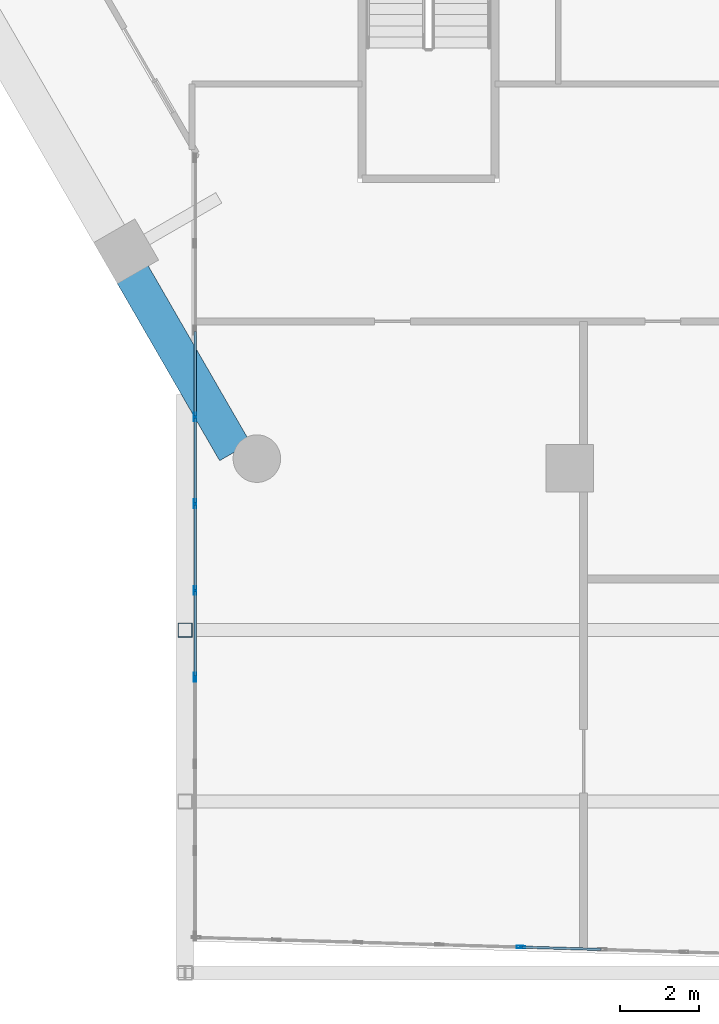
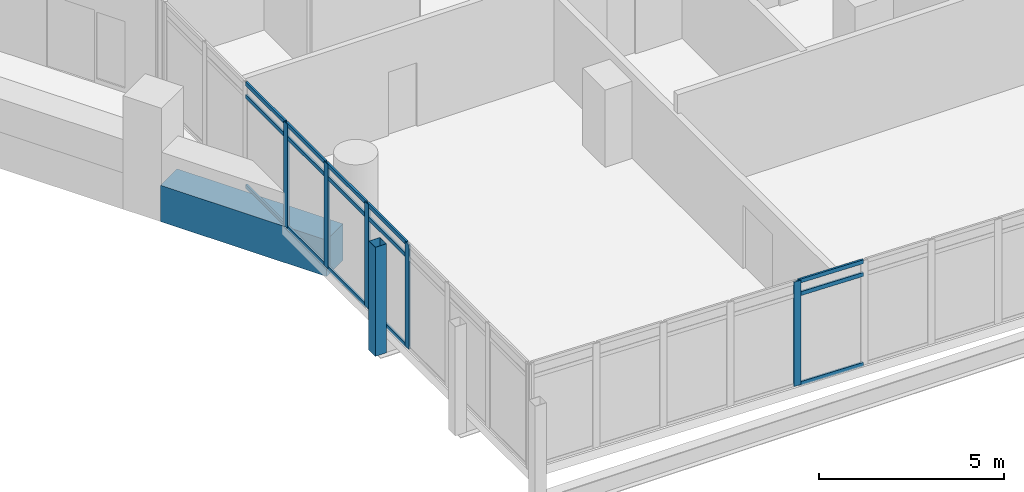
# One storey, part 4 of 37: 21 members, 1 beam, 2 elements without a shape of their own.
"""IFC4 building model written with IfcOpenShell, lengths in metres."""

from ifc_helpers import new_model, si_unit, direction, frame, origin, origin_2d, place, context, subcontext, project, spatial, rectangle, hollow_rectangle, extrude, material, material_profile, profile_set, type_object, element, aggregate, save


model = new_model("IFC4")

# Units and contexts
model_context = context("Model", 3, precision=1e-05, world=origin(), true_north=direction((0.0, 1.0)))
body_context = subcontext(model_context, "Body", "Model", "MODEL_VIEW")
ifc_project = project(units=[si_unit("LENGTHUNIT", "METRE"), si_unit("AREAUNIT", "SQUARE_METRE"), si_unit("VOLUMEUNIT", "CUBIC_METRE"), si_unit("PLANEANGLEUNIT", "RADIAN"), si_unit("MASSUNIT", "GRAM", prefix="KILO")], contexts=[model_context])

# Site, building, storey
site_placement = place(None, origin())
site = spatial("IfcSite", under=ifc_project, at=site_placement, CompositionType="ELEMENT")
building_placement = place(site_placement, origin())
building = spatial("IfcBuilding", under=site, at=building_placement, Name="Ostrander Bayou Hotel Tower", CompositionType="ELEMENT")
storey_placement = place(building_placement, frame((0.0, 0.0, 131.0)))
storey = spatial("IfcBuildingStorey", under=building, at=storey_placement, Name="L32", CompositionType="ELEMENT", Elevation=131.0)

# Curtain wall, members
ifc_material_1 = material(Name="Aluminium and clear glass", Category="aluminium")
curtain_wall_type = type_object("IfcCurtainWallType", Name="CW-BAR glazed wall", PredefinedType="NOTDEFINED", material=ifc_material_1)
curtain_wall_1_placement = place(storey_placement, origin())
curtain_wall_1 = element("IfcCurtainWall", 1, at=curtain_wall_1_placement, inside=storey, type_object=curtain_wall_type, Name="CW-BAR L32:SB3S:E", PredefinedType="NOTDEFINED")
ifc_material_2 = material(Name="Aluminium", Category="aluminium")
ifc_material_profile_1 = material_profile(ifc_material_2, hollow_rectangle(XDim=0.06005859375, YDim=0.219970703125, WallThickness=0.00390625, at=origin_2d()))
ifc_profile_set_1 = profile_set([ifc_material_profile_1], Name="Aluminium")
member_type_1 = type_object("IfcMemberType", Name="CW-BR mullion 60 x 220 mm", PredefinedType="MULLION", material=ifc_profile_set_1)
member_1_placement = place(storey_placement, frame((-13.3671875, -17.41552734375, 0.0), z_axis=(0.0, 0.0, 1.0), x_axis=(1.0, 0.0, 0.0)))
member_1 = element("IfcMember", 2, at=member_1_placement, type_object=member_type_1, Name="CW-BAR mullion 4", PredefinedType="MULLION", context=body_context, shape_type="SweptSolid", body=[
    extrude(hollow_rectangle(XDim=0.06005859375, YDim=0.219970703125, WallThickness=0.00390625, at=origin_2d()), origin(), (0.0, 0.0, 1.0), 3.449951171875),
])
member_2_placement = place(storey_placement, frame((-13.3671875, -19.60498046875, 0.0), z_axis=(0.0, 0.0, 1.0), x_axis=(1.0, 0.0, 0.0)))
member_2 = element("IfcMember", 3, at=member_2_placement, type_object=member_type_1, Name="CW-BAR mullion 5", PredefinedType="MULLION", context=body_context, shape_type="SweptSolid", body=[
    extrude(hollow_rectangle(XDim=0.06005859375, YDim=0.219970703125, WallThickness=0.00390625, at=origin_2d()), origin(), (0.0, 0.0, 1.0), 3.449951171875),
])
member_3_placement = place(storey_placement, frame((-13.3671875, -21.79443359375, 0.0), z_axis=(0.0, 0.0, 1.0), x_axis=(1.0, 0.0, 0.0)))
member_3 = element("IfcMember", 4, at=member_3_placement, type_object=member_type_1, Name="CW-BAR mullion 6", PredefinedType="MULLION", context=body_context, shape_type="SweptSolid", body=[
    extrude(hollow_rectangle(XDim=0.06005859375, YDim=0.219970703125, WallThickness=0.00390625, at=origin_2d()), origin(), (0.0, 0.0, 1.0), 3.449951171875),
])
member_4_placement = place(storey_placement, frame((-13.3671875, -23.98388671875, 0.0), z_axis=(0.0, 0.0, 1.0), x_axis=(1.0, 0.0, 0.0)))
member_4 = element("IfcMember", 5, at=member_4_placement, type_object=member_type_1, Name="CW-BAR mullion 7", PredefinedType="MULLION", context=body_context, shape_type="SweptSolid", body=[
    extrude(hollow_rectangle(XDim=0.06005859375, YDim=0.219970703125, WallThickness=0.00390625, at=origin_2d()), origin(), (0.0, 0.0, 1.0), 3.449951171875),
])

# Curtain wall, member
curtain_wall_2_placement = place(storey_placement, origin())
curtain_wall_2 = element("IfcCurtainWall", 6, at=curtain_wall_2_placement, inside=storey, type_object=curtain_wall_type, Name="CW-BAR L32:SB3S:T", PredefinedType="NOTDEFINED")
member_5_placement = place(storey_placement, frame((-5.14111328125, -30.797119140625, 0.0), z_axis=(0.0, 0.0, 1.0), x_axis=(0.029746242041, 0.999557482631, 0.0)))
member_5 = element("IfcMember", 7, at=member_5_placement, type_object=member_type_1, Name="CW-BAR mullion 5", PredefinedType="MULLION", context=body_context, shape_type="SweptSolid", body=[
    extrude(hollow_rectangle(XDim=0.06005859375, YDim=0.219970703125, WallThickness=0.00390625, at=origin_2d()), origin(), (0.0, 0.0, 1.0), 3.449951171875),
])

# Member
ifc_material_3 = material(Name="Aluminium", Category="aluminium")
ifc_material_profile_2 = material_profile(ifc_material_3, hollow_rectangle(XDim=0.06005859375, YDim=0.1298828125, WallThickness=0.00390625, at=origin_2d()))
ifc_profile_set_2 = profile_set([ifc_material_profile_2], Name="Aluminium")
member_type_2 = type_object("IfcMemberType", Name="CW-BR transom 60 x 130 mm", PredefinedType="USERDEFINED", material=ifc_profile_set_2)
member_6_placement = place(storey_placement, frame((-13.3671875, -15.256103515625, 0.030029296875), z_axis=(0.0, -1.0, 0.0), x_axis=(1.0, 0.0, 0.0)))
member_6 = element("IfcMember", 8, at=member_6_placement, type_object=member_type_2, Name="CW-BAR transom 3.1", ObjectType="TRANSOM", PredefinedType="USERDEFINED", context=body_context, shape_type="SweptSolid", body=[
    extrude(hollow_rectangle(XDim=0.06005859375, YDim=0.1298828125, WallThickness=0.00390625, at=origin_2d()), origin(), (0.0, 0.0, 1.0), 2.12939453125),
])

member_7_placement = place(storey_placement, frame((-13.3671875, -15.256103515625, 3.0), z_axis=(0.0, -1.0, 0.0), x_axis=(1.0, 0.0, 0.0)))
member_7 = element("IfcMember", 9, at=member_7_placement, type_object=member_type_2, Name="CW-BAR transom 3.2", ObjectType="TRANSOM", PredefinedType="USERDEFINED", context=body_context, shape_type="SweptSolid", body=[
    extrude(hollow_rectangle(XDim=0.06005859375, YDim=0.1298828125, WallThickness=0.00390625, at=origin_2d()), origin(), (0.0, 0.0, 1.0), 2.12939453125),
])

member_8_placement = place(storey_placement, frame((-13.3671875, -15.256103515625, 3.419921875), z_axis=(0.0, -1.0, 0.0), x_axis=(1.0, 0.0, 0.0)))
member_8 = element("IfcMember", 10, at=member_8_placement, type_object=member_type_2, Name="CW-BAR transom 3.3", ObjectType="TRANSOM", PredefinedType="USERDEFINED", context=body_context, shape_type="SweptSolid", body=[
    extrude(hollow_rectangle(XDim=0.06005859375, YDim=0.1298828125, WallThickness=0.00390625, at=origin_2d()), origin(), (0.0, 0.0, 1.0), 2.12939453125),
])

member_9_placement = place(storey_placement, frame((-13.3671875, -17.445556640625, 0.030029296875), z_axis=(0.0, -1.0, 0.0), x_axis=(1.0, 0.0, 0.0)))
member_9 = element("IfcMember", 11, at=member_9_placement, type_object=member_type_2, Name="CW-BAR transom 4.1", ObjectType="TRANSOM", PredefinedType="USERDEFINED", context=body_context, shape_type="SweptSolid", body=[
    extrude(hollow_rectangle(XDim=0.06005859375, YDim=0.1298828125, WallThickness=0.00390625, at=origin_2d()), origin(), (0.0, 0.0, 1.0), 2.12939453125),
])

member_10_placement = place(storey_placement, frame((-13.3671875, -17.445556640625, 3.0), z_axis=(0.0, -1.0, 0.0), x_axis=(1.0, 0.0, 0.0)))
member_10 = element("IfcMember", 12, at=member_10_placement, type_object=member_type_2, Name="CW-BAR transom 4.2", ObjectType="TRANSOM", PredefinedType="USERDEFINED", context=body_context, shape_type="SweptSolid", body=[
    extrude(hollow_rectangle(XDim=0.06005859375, YDim=0.1298828125, WallThickness=0.00390625, at=origin_2d()), origin(), (0.0, 0.0, 1.0), 2.12939453125),
])

member_11_placement = place(storey_placement, frame((-13.3671875, -17.445556640625, 3.419921875), z_axis=(0.0, -1.0, 0.0), x_axis=(1.0, 0.0, 0.0)))
member_11 = element("IfcMember", 13, at=member_11_placement, type_object=member_type_2, Name="CW-BAR transom 4.3", ObjectType="TRANSOM", PredefinedType="USERDEFINED", context=body_context, shape_type="SweptSolid", body=[
    extrude(hollow_rectangle(XDim=0.06005859375, YDim=0.1298828125, WallThickness=0.00390625, at=origin_2d()), origin(), (0.0, 0.0, 1.0), 2.12939453125),
])

member_12_placement = place(storey_placement, frame((-13.3671875, -19.635009765625, 0.030029296875), z_axis=(0.0, -1.0, 0.0), x_axis=(1.0, 0.0, 0.0)))
member_12 = element("IfcMember", 14, at=member_12_placement, type_object=member_type_2, Name="CW-BAR transom 5.1", ObjectType="TRANSOM", PredefinedType="USERDEFINED", context=body_context, shape_type="SweptSolid", body=[
    extrude(hollow_rectangle(XDim=0.06005859375, YDim=0.1298828125, WallThickness=0.00390625, at=origin_2d()), origin(), (0.0, 0.0, 1.0), 2.12939453125),
])

member_13_placement = place(storey_placement, frame((-13.3671875, -19.635009765625, 3.0), z_axis=(0.0, -1.0, 0.0), x_axis=(1.0, 0.0, 0.0)))
member_13 = element("IfcMember", 15, at=member_13_placement, type_object=member_type_2, Name="CW-BAR transom 5.2", ObjectType="TRANSOM", PredefinedType="USERDEFINED", context=body_context, shape_type="SweptSolid", body=[
    extrude(hollow_rectangle(XDim=0.06005859375, YDim=0.1298828125, WallThickness=0.00390625, at=origin_2d()), origin(), (0.0, 0.0, 1.0), 2.12939453125),
])

member_14_placement = place(storey_placement, frame((-13.3671875, -19.635009765625, 3.419921875), z_axis=(0.0, -1.0, 0.0), x_axis=(1.0, 0.0, 0.0)))
member_14 = element("IfcMember", 16, at=member_14_placement, type_object=member_type_2, Name="CW-BAR transom 5.3", ObjectType="TRANSOM", PredefinedType="USERDEFINED", context=body_context, shape_type="SweptSolid", body=[
    extrude(hollow_rectangle(XDim=0.06005859375, YDim=0.1298828125, WallThickness=0.00390625, at=origin_2d()), origin(), (0.0, 0.0, 1.0), 2.12939453125),
])

member_15_placement = place(storey_placement, frame((-13.3671875, -21.824462890625, 0.030029296875), z_axis=(0.0, -1.0, 0.0), x_axis=(1.0, 0.0, 0.0)))
member_15 = element("IfcMember", 17, at=member_15_placement, type_object=member_type_2, Name="CW-BAR transom 6.1", ObjectType="TRANSOM", PredefinedType="USERDEFINED", context=body_context, shape_type="SweptSolid", body=[
    extrude(hollow_rectangle(XDim=0.06005859375, YDim=0.1298828125, WallThickness=0.00390625, at=origin_2d()), origin(), (0.0, 0.0, 1.0), 2.12939453125),
])

member_16_placement = place(storey_placement, frame((-13.3671875, -21.824462890625, 3.0), z_axis=(0.0, -1.0, 0.0), x_axis=(1.0, 0.0, 0.0)))
member_16 = element("IfcMember", 18, at=member_16_placement, type_object=member_type_2, Name="CW-BAR transom 6.2", ObjectType="TRANSOM", PredefinedType="USERDEFINED", context=body_context, shape_type="SweptSolid", body=[
    extrude(hollow_rectangle(XDim=0.06005859375, YDim=0.1298828125, WallThickness=0.00390625, at=origin_2d()), origin(), (0.0, 0.0, 1.0), 2.12939453125),
])

member_17_placement = place(storey_placement, frame((-13.3671875, -21.824462890625, 3.419921875), z_axis=(0.0, -1.0, 0.0), x_axis=(1.0, 0.0, 0.0)))
member_17 = element("IfcMember", 19, at=member_17_placement, type_object=member_type_2, Name="CW-BAR transom 6.3", ObjectType="TRANSOM", PredefinedType="USERDEFINED", context=body_context, shape_type="SweptSolid", body=[
    extrude(hollow_rectangle(XDim=0.06005859375, YDim=0.1298828125, WallThickness=0.00390625, at=origin_2d()), origin(), (0.0, 0.0, 1.0), 2.12939453125),
])

aggregate(curtain_wall_1, [member_1, member_2, member_3, member_4, member_6, member_7, member_8, member_9, member_10, member_11, member_12, member_13, member_14, member_15, member_16, member_17])

member_18_placement = place(storey_placement, frame((-5.111328125, -30.7978515625, 0.030029296875), z_axis=(0.999555199151, -0.029822874614, 0.0), x_axis=(0.029822874614, 0.999555199151, 0.0)))
member_18 = element("IfcMember", 20, at=member_18_placement, type_object=member_type_2, Name="CW-BAR transom 5.1", ObjectType="TRANSOM", PredefinedType="USERDEFINED", context=body_context, shape_type="SweptSolid", body=[
    extrude(hollow_rectangle(XDim=0.06005859375, YDim=0.1298828125, WallThickness=0.00390625, at=origin_2d()), origin(), (0.0, 0.0, 1.0), 1.99755859375),
])

member_19_placement = place(storey_placement, frame((-5.111328125, -30.7978515625, 3.0), z_axis=(0.999555199151, -0.029822874614, 0.0), x_axis=(0.029822874614, 0.999555199151, 0.0)))
member_19 = element("IfcMember", 21, at=member_19_placement, type_object=member_type_2, Name="CW-BAR transom 5.2", ObjectType="TRANSOM", PredefinedType="USERDEFINED", context=body_context, shape_type="SweptSolid", body=[
    extrude(hollow_rectangle(XDim=0.06005859375, YDim=0.1298828125, WallThickness=0.00390625, at=origin_2d()), origin(), (0.0, 0.0, 1.0), 1.99755859375),
])

member_20_placement = place(storey_placement, frame((-5.111328125, -30.7978515625, 3.419921875), z_axis=(0.999555199151, -0.029822874614, 0.0), x_axis=(0.029822874614, 0.999555199151, 0.0)))
member_20 = element("IfcMember", 22, at=member_20_placement, type_object=member_type_2, Name="CW-BAR transom 5.3", ObjectType="TRANSOM", PredefinedType="USERDEFINED", context=body_context, shape_type="SweptSolid", body=[
    extrude(hollow_rectangle(XDim=0.06005859375, YDim=0.1298828125, WallThickness=0.00390625, at=origin_2d()), origin(), (0.0, 0.0, 1.0), 1.99755859375),
])

aggregate(curtain_wall_2, [member_5, member_18, member_19, member_20])

# Beam
ifc_material_4 = material(Name="Concrete f'c 70 MPa", Category="concrete")
ifc_material_profile_3 = material_profile(ifc_material_4, rectangle(XDim=0.89990234375, YDim=1.199951171875, at=origin_2d()))
ifc_profile_set_3 = profile_set([ifc_material_profile_3], Name="Concrete f'c 70 MPa")
beam_type = type_object("IfcBeamType", Name="SP2 spandrel beam 900 x 1200 mm f'c 70 MPa", PredefinedType="SPANDREL", material=ifc_profile_set_3)
beam_placement = place(storey_placement, frame((-14.9521484375, -13.802001953125, -0.60009765625), z_axis=(0.499996813733, -0.866027243369, 0.0), x_axis=(0.866027243369, 0.499996813733, 0.0)))
element("IfcBeam", 23, at=beam_placement, inside=storey, type_object=beam_type, Name="SP2 L32 SW-3", PredefinedType="SPANDREL", context=body_context, shape_type="SweptSolid", body=[
    extrude(rectangle(XDim=0.89990234375, YDim=1.199951171875, at=origin_2d()), origin(), (0.0, 0.0, 1.0), 5.1865234375),
])

# Member
ifc_material_5 = material(Name="Steel ASTM A500 Gr C", Category="steel")
ifc_material_profile_4 = material_profile(ifc_material_5, hollow_rectangle(XDim=0.355712890625, YDim=0.355712890625, WallThickness=0.0087890625, at=origin_2d()))
ifc_profile_set_4 = profile_set([ifc_material_profile_4], Name="Steel ASTM A500 Gr C")
member_type_3 = type_object("IfcMemberType", Name="TH3 bar hanger HSS14x14x3/8", PredefinedType="POST", material=ifc_profile_set_4)
member_21_placement = place(storey_placement, frame((-13.6201171875, -22.794677734375, -0.771728515625), z_axis=(0.0, 0.0, 1.0), x_axis=(1.0, 0.0, 0.0)))
element("IfcMember", 24, at=member_21_placement, inside=storey, type_object=member_type_3, Name="TH3 SB3SA H1-1", PredefinedType="POST", context=body_context, shape_type="SweptSolid", body=[
    extrude(hollow_rectangle(XDim=0.355712890625, YDim=0.355712890625, WallThickness=0.0087890625, at=origin_2d()), origin(), (0.0, 0.0, 1.0), 3.599853515625),
])

save(model, "model.ifc")
